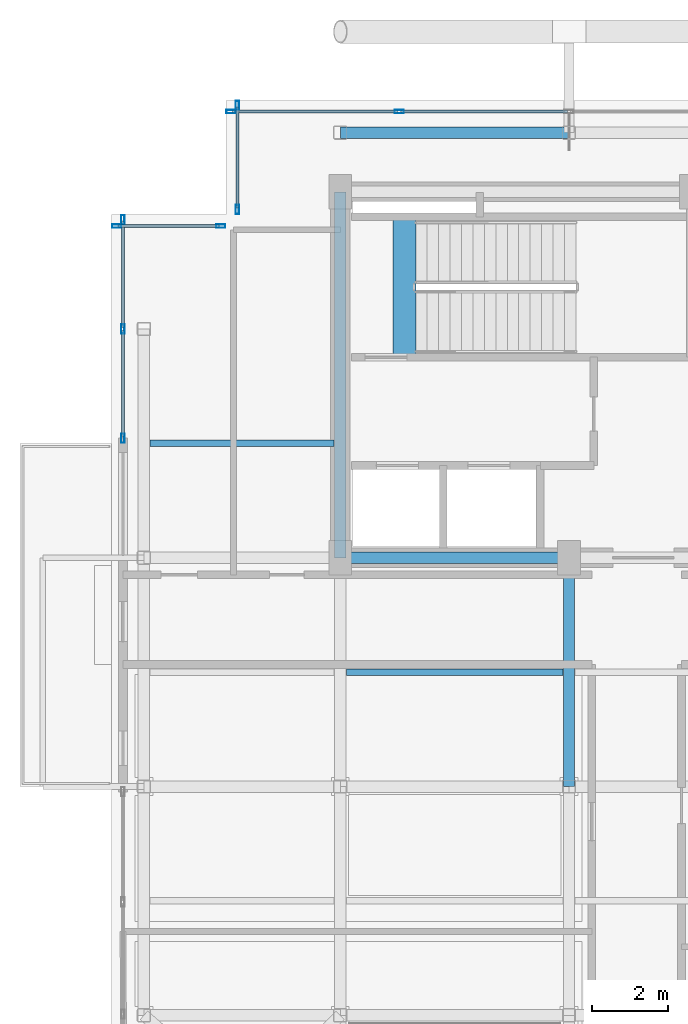
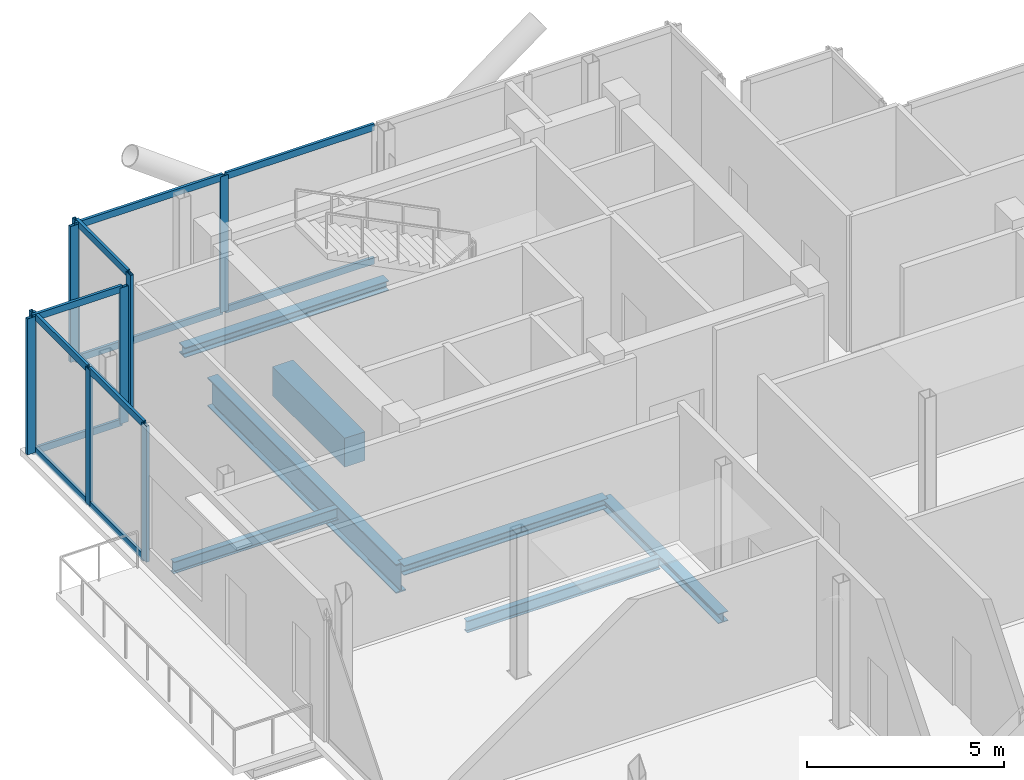
# One storey, part 5 of 16: 21 members, 7 beams, 4 elements without a shape of their own.
"""IFC4 building model written with IfcOpenShell, lengths in metres."""

from ifc_helpers import new_model, si_unit, direction, frame, origin, origin_2d, place, context, subcontext, project, spatial, rectangle, hollow_rectangle, i_section, extrude, material, layer, layer_set, material_profile, profile_set, type_object, element, aggregate, save


model = new_model("IFC4")

# Units and contexts
model_context = context("Model", 3, precision=1e-05, world=origin(), true_north=direction((0.0, 1.0)))
body_context = subcontext(model_context, "Body", "Model", "MODEL_VIEW")
ifc_project = project(units=[si_unit("LENGTHUNIT", "METRE"), si_unit("AREAUNIT", "SQUARE_METRE"), si_unit("VOLUMEUNIT", "CUBIC_METRE"), si_unit("PLANEANGLEUNIT", "RADIAN"), si_unit("MASSUNIT", "GRAM", prefix="KILO"), si_unit("THERMODYNAMICTEMPERATUREUNIT", "KELVIN"), si_unit("POWERUNIT", "WATT")], contexts=[model_context])

# Site, building, storey
site_placement = place(None, origin())
site = spatial("IfcSite", under=ifc_project, at=site_placement, CompositionType="ELEMENT")
building_placement = place(site_placement, origin())
building = spatial("IfcBuilding", under=site, at=building_placement, Name="Svarakhadi Broadcast Tower", CompositionType="ELEMENT")
storey_placement = place(building_placement, frame((0.0, 0.0, 296.39990234375)))
storey = spatial("IfcBuildingStorey", under=building, at=storey_placement, Name="L75", CompositionType="ELEMENT", Elevation=296.39990234375)

# Beams
ifc_material_1 = material(Name="Steel S355J2 (IS 2062 E350C)", Category="steel")
ifc_material_profile_1 = material_profile(ifc_material_1, i_section(OverallWidth=0.169921875, OverallDepth=0.360107421875, WebThickness=0.008056640625, FlangeThickness=0.0126953125, FilletRadius=0.01806640625, at=origin_2d()), Name="NPB 360x170x57")
ifc_profile_set_1 = profile_set([ifc_material_profile_1], Name="Steel S355J2 (IS 2062 E350C)")
beam_type_1 = type_object("IfcBeamType", Name="Beam_NPB360", PredefinedType="BEAM", material=ifc_profile_set_1)
beam_1_placement = place(storey_placement, frame((1.010009765625, 21.0, -0.3798828125), z_axis=(1.0, 0.0, 0.0), x_axis=(0.0, 1.0, 0.0)))
element("IfcBeam", 1, at=beam_1_placement, inside=storey, type_object=beam_type_1, Name="L75 Secondary Composite Beam SB003", PredefinedType="BEAM", context=body_context, shape_type="SweptSolid", body=[
    extrude(i_section(OverallWidth=0.169921875, OverallDepth=0.360107421875, WebThickness=0.008056640625, FlangeThickness=0.0126953125, FilletRadius=0.01806640625, at=origin_2d()), origin(), (0.0, 0.0, 1.0), 4.830078125),
])
beam_2_placement = place(storey_placement, frame((6.159912109375, 15.0, -0.3798828125), z_axis=(1.0, 0.0, 0.0), x_axis=(0.0, 1.0, 0.0)))
element("IfcBeam", 2, at=beam_2_placement, inside=storey, type_object=beam_type_1, Name="L75 Secondary Composite Beam SB006", PredefinedType="BEAM", context=body_context, shape_type="SweptSolid", body=[
    extrude(i_section(OverallWidth=0.169921875, OverallDepth=0.360107421875, WebThickness=0.008056640625, FlangeThickness=0.0126953125, FilletRadius=0.01806640625, at=origin_2d()), origin(), (0.0, 0.0, 1.0), 5.68017578125),
])

# Curtain wall, members
ifc_material_2 = material(Name="Anodised Bronze Aluminium AA 6063-T6", Category="aluminium")
ifc_layer = layer(ifc_material_2, 0.239990234375)
ifc_layer_set = layer_set([ifc_layer], Name="Anodised Bronze Aluminium AA 6063-T6")
curtain_wall_type = type_object("IfcCurtainWallType", Name="CW_Sys_06", PredefinedType="NOTDEFINED", material=ifc_layer_set)
curtain_wall_1_placement = place(storey_placement, origin())
curtain_wall_1 = element("IfcCurtainWall", 3, at=curtain_wall_1_placement, inside=storey, type_object=curtain_wall_type, Name="L75 West Curtain Wall 03", PredefinedType="NOTDEFINED")
ifc_material_profile_2 = material_profile(ifc_material_2, hollow_rectangle(XDim=0.090087890625, YDim=0.239990234375, WallThickness=0.006103515625, at=origin_2d()), Name="ALU MULLION 240x90x6")
ifc_profile_set_2 = profile_set([ifc_material_profile_2], Name="Anodised Bronze Aluminium AA 6063-T6")
member_type_1 = type_object("IfcMemberType", Name="CW_Sys_06_Mul", PredefinedType="MULLION", material=ifc_profile_set_2)
member_1_placement = place(storey_placement, frame((0.300048828125, 21.135009765625, 0.0), z_axis=(0.0, 0.0, 1.0), x_axis=(-1.0, 0.0, 0.0)))
member_1 = element("IfcMember", 4, at=member_1_placement, type_object=member_type_1, Name="CW-06 mullion 1", PredefinedType="MULLION", context=body_context, shape_type="SweptSolid", body=[
    extrude(hollow_rectangle(XDim=0.090087890625, YDim=0.239990234375, WallThickness=0.006103515625, at=origin_2d()), origin(), (0.0, 0.0, 1.0), 4.22509765625),
])
member_2_placement = place(storey_placement, frame((0.300048828125, 24.0, 0.0), z_axis=(0.0, 0.0, 1.0), x_axis=(-1.0, 0.0, 0.0)))
member_2 = element("IfcMember", 5, at=member_2_placement, type_object=member_type_1, Name="CW-06 mullion 2", PredefinedType="MULLION", context=body_context, shape_type="SweptSolid", body=[
    extrude(hollow_rectangle(XDim=0.090087890625, YDim=0.239990234375, WallThickness=0.006103515625, at=origin_2d()), origin(), (0.0, 0.0, 1.0), 4.22509765625),
])
member_3_placement = place(storey_placement, frame((0.300048828125, 26.864990234375, 0.0), z_axis=(0.0, 0.0, 1.0), x_axis=(-1.0, 0.0, 0.0)))
member_3 = element("IfcMember", 6, at=member_3_placement, type_object=member_type_1, Name="CW-06 mullion 3", PredefinedType="MULLION", context=body_context, shape_type="SweptSolid", body=[
    extrude(hollow_rectangle(XDim=0.090087890625, YDim=0.239990234375, WallThickness=0.006103515625, at=origin_2d()), origin(), (0.0, 0.0, 1.0), 4.22509765625),
])

curtain_wall_2_placement = place(storey_placement, origin())
curtain_wall_2 = element("IfcCurtainWall", 7, at=curtain_wall_2_placement, inside=storey, type_object=curtain_wall_type, Name="L75 Unitised Facade Curtain Wall 04", PredefinedType="NOTDEFINED")
member_4_placement = place(storey_placement, frame((0.135009765625, 26.699951171875, 0.0), z_axis=(0.0, 0.0, 1.0), x_axis=(0.0, 1.0, 0.0)))
member_4 = element("IfcMember", 8, at=member_4_placement, type_object=member_type_1, Name="CW-06 mullion 1", PredefinedType="MULLION", context=body_context, shape_type="SweptSolid", body=[
    extrude(hollow_rectangle(XDim=0.090087890625, YDim=0.239990234375, WallThickness=0.006103515625, at=origin_2d()), origin(), (0.0, 0.0, 1.0), 4.22509765625),
])
member_5_placement = place(storey_placement, frame((2.864990234375, 26.699951171875, 0.0), z_axis=(0.0, 0.0, 1.0), x_axis=(0.0, 1.0, 0.0)))
member_5 = element("IfcMember", 9, at=member_5_placement, type_object=member_type_1, Name="CW-06 mullion 2", PredefinedType="MULLION", context=body_context, shape_type="SweptSolid", body=[
    extrude(hollow_rectangle(XDim=0.090087890625, YDim=0.239990234375, WallThickness=0.006103515625, at=origin_2d()), origin(), (0.0, 0.0, 1.0), 4.22509765625),
])

curtain_wall_3_placement = place(storey_placement, origin())
curtain_wall_3 = element("IfcCurtainWall", 10, at=curtain_wall_3_placement, inside=storey, type_object=curtain_wall_type, Name="L75 Unitised Facade Curtain Wall 05", PredefinedType="NOTDEFINED")
member_6_placement = place(storey_placement, frame((3.300048828125, 27.135009765625, 0.0), z_axis=(0.0, 0.0, 1.0), x_axis=(-1.0, 0.0, 0.0)))
member_6 = element("IfcMember", 11, at=member_6_placement, type_object=member_type_1, Name="CW-06 mullion 1", PredefinedType="MULLION", context=body_context, shape_type="SweptSolid", body=[
    extrude(hollow_rectangle(XDim=0.090087890625, YDim=0.239990234375, WallThickness=0.006103515625, at=origin_2d()), origin(), (0.0, 0.0, 1.0), 4.22509765625),
])
member_7_placement = place(storey_placement, frame((3.300048828125, 29.864990234375, 0.0), z_axis=(0.0, 0.0, 1.0), x_axis=(-1.0, 0.0, 0.0)))
member_7 = element("IfcMember", 12, at=member_7_placement, type_object=member_type_1, Name="CW-06 mullion 2", PredefinedType="MULLION", context=body_context, shape_type="SweptSolid", body=[
    extrude(hollow_rectangle(XDim=0.090087890625, YDim=0.239990234375, WallThickness=0.006103515625, at=origin_2d()), origin(), (0.0, 0.0, 1.0), 4.22509765625),
])

curtain_wall_4_placement = place(storey_placement, origin())
curtain_wall_4 = element("IfcCurtainWall", 13, at=curtain_wall_4_placement, inside=storey, type_object=curtain_wall_type, Name="L75 Unitised Facade Curtain Wall 06", PredefinedType="NOTDEFINED")
member_8_placement = place(storey_placement, frame((3.135009765625, 29.699951171875, 0.0), z_axis=(0.0, 0.0, 1.0), x_axis=(0.0, 1.0, 0.0)))
member_8 = element("IfcMember", 14, at=member_8_placement, type_object=member_type_1, Name="CW-06 mullion 1", PredefinedType="MULLION", context=body_context, shape_type="SweptSolid", body=[
    extrude(hollow_rectangle(XDim=0.090087890625, YDim=0.239990234375, WallThickness=0.006103515625, at=origin_2d()), origin(), (0.0, 0.0, 1.0), 4.22509765625),
])
member_9_placement = place(storey_placement, frame((7.544921875, 29.699951171875, 0.0), z_axis=(0.0, 0.0, 1.0), x_axis=(0.0, 1.0, 0.0)))
member_9 = element("IfcMember", 15, at=member_9_placement, type_object=member_type_1, Name="CW-06 mullion 2", PredefinedType="MULLION", context=body_context, shape_type="SweptSolid", body=[
    extrude(hollow_rectangle(XDim=0.090087890625, YDim=0.239990234375, WallThickness=0.006103515625, at=origin_2d()), origin(), (0.0, 0.0, 1.0), 4.22509765625),
])

# Member
ifc_material_profile_3 = material_profile(ifc_material_2, hollow_rectangle(XDim=0.080078125, YDim=0.2099609375, WallThickness=0.0048828125, at=origin_2d()), Name="ALU TRANSOM 210x80x5")
ifc_profile_set_3 = profile_set([ifc_material_profile_3], Name="Anodised Bronze Aluminium AA 6063-T6")
member_type_2 = type_object("IfcMemberType", Name="CW_Sys_06_Trn", PredefinedType="USERDEFINED", material=ifc_profile_set_3)
member_10_placement = place(storey_placement, frame((0.300048828125, 21.179931640625, 0.0400390625), z_axis=(0.0, 1.0, 0.0), x_axis=(-1.0, 0.0, 0.0)))
member_10 = element("IfcMember", 16, at=member_10_placement, type_object=member_type_2, Name="CW-06 transom 1.1", ObjectType="TRANSOM", PredefinedType="USERDEFINED", context=body_context, shape_type="SweptSolid", body=[
    extrude(hollow_rectangle(XDim=0.080078125, YDim=0.2099609375, WallThickness=0.0048828125, at=origin_2d()), origin(), (0.0, 0.0, 1.0), 2.775146484375),
])

member_11_placement = place(storey_placement, frame((0.300048828125, 21.179931640625, 4.18505859375), z_axis=(0.0, 1.0, 0.0), x_axis=(-1.0, 0.0, 0.0)))
member_11 = element("IfcMember", 17, at=member_11_placement, type_object=member_type_2, Name="CW-06 transom 1.2", ObjectType="TRANSOM", PredefinedType="USERDEFINED", context=body_context, shape_type="SweptSolid", body=[
    extrude(hollow_rectangle(XDim=0.080078125, YDim=0.2099609375, WallThickness=0.0048828125, at=origin_2d()), origin(), (0.0, 0.0, 1.0), 2.775146484375),
])

member_12_placement = place(storey_placement, frame((0.300048828125, 24.044921875, 0.0400390625), z_axis=(0.0, 1.0, 0.0), x_axis=(-1.0, 0.0, 0.0)))
member_12 = element("IfcMember", 18, at=member_12_placement, type_object=member_type_2, Name="CW-06 transom 2.1", ObjectType="TRANSOM", PredefinedType="USERDEFINED", context=body_context, shape_type="SweptSolid", body=[
    extrude(hollow_rectangle(XDim=0.080078125, YDim=0.2099609375, WallThickness=0.0048828125, at=origin_2d()), origin(), (0.0, 0.0, 1.0), 2.775146484375),
])

member_13_placement = place(storey_placement, frame((0.300048828125, 24.044921875, 4.18505859375), z_axis=(0.0, 1.0, 0.0), x_axis=(-1.0, 0.0, 0.0)))
member_13 = element("IfcMember", 19, at=member_13_placement, type_object=member_type_2, Name="CW-06 transom 2.2", ObjectType="TRANSOM", PredefinedType="USERDEFINED", context=body_context, shape_type="SweptSolid", body=[
    extrude(hollow_rectangle(XDim=0.080078125, YDim=0.2099609375, WallThickness=0.0048828125, at=origin_2d()), origin(), (0.0, 0.0, 1.0), 2.775146484375),
])

aggregate(curtain_wall_1, [member_1, member_2, member_3, member_10, member_11, member_12, member_13])

member_14_placement = place(storey_placement, frame((0.179931640625, 26.699951171875, 0.0400390625), z_axis=(1.0, 0.0, 0.0), x_axis=(0.0, 1.0, 0.0)))
member_14 = element("IfcMember", 20, at=member_14_placement, type_object=member_type_2, Name="CW-06 transom 1.1", ObjectType="TRANSOM", PredefinedType="USERDEFINED", context=body_context, shape_type="SweptSolid", body=[
    extrude(hollow_rectangle(XDim=0.080078125, YDim=0.2099609375, WallThickness=0.0048828125, at=origin_2d()), origin(), (0.0, 0.0, 1.0), 2.64013671875),
])

member_15_placement = place(storey_placement, frame((0.179931640625, 26.699951171875, 4.18505859375), z_axis=(1.0, 0.0, 0.0), x_axis=(0.0, 1.0, 0.0)))
member_15 = element("IfcMember", 21, at=member_15_placement, type_object=member_type_2, Name="CW-06 transom 1.2", ObjectType="TRANSOM", PredefinedType="USERDEFINED", context=body_context, shape_type="SweptSolid", body=[
    extrude(hollow_rectangle(XDim=0.080078125, YDim=0.2099609375, WallThickness=0.0048828125, at=origin_2d()), origin(), (0.0, 0.0, 1.0), 2.64013671875),
])

aggregate(curtain_wall_2, [member_4, member_5, member_14, member_15])

member_16_placement = place(storey_placement, frame((3.300048828125, 27.179931640625, 0.0400390625), z_axis=(0.0, 1.0, 0.0), x_axis=(-1.0, 0.0, 0.0)))
member_16 = element("IfcMember", 22, at=member_16_placement, type_object=member_type_2, Name="CW-06 transom 1.1", ObjectType="TRANSOM", PredefinedType="USERDEFINED", context=body_context, shape_type="SweptSolid", body=[
    extrude(hollow_rectangle(XDim=0.080078125, YDim=0.2099609375, WallThickness=0.0048828125, at=origin_2d()), origin(), (0.0, 0.0, 1.0), 2.64013671875),
])

member_17_placement = place(storey_placement, frame((3.300048828125, 27.179931640625, 4.18505859375), z_axis=(0.0, 1.0, 0.0), x_axis=(-1.0, 0.0, 0.0)))
member_17 = element("IfcMember", 23, at=member_17_placement, type_object=member_type_2, Name="CW-06 transom 1.2", ObjectType="TRANSOM", PredefinedType="USERDEFINED", context=body_context, shape_type="SweptSolid", body=[
    extrude(hollow_rectangle(XDim=0.080078125, YDim=0.2099609375, WallThickness=0.0048828125, at=origin_2d()), origin(), (0.0, 0.0, 1.0), 2.64013671875),
])

aggregate(curtain_wall_3, [member_6, member_7, member_16, member_17])

member_18_placement = place(storey_placement, frame((3.179931640625, 29.699951171875, 0.0400390625), z_axis=(1.0, 0.0, 0.0), x_axis=(0.0, 1.0, 0.0)))
member_18 = element("IfcMember", 24, at=member_18_placement, type_object=member_type_2, Name="CW-06 transom 1.1", ObjectType="TRANSOM", PredefinedType="USERDEFINED", context=body_context, shape_type="SweptSolid", body=[
    extrude(hollow_rectangle(XDim=0.080078125, YDim=0.2099609375, WallThickness=0.0048828125, at=origin_2d()), origin(), (0.0, 0.0, 1.0), 4.320068359375),
])

member_19_placement = place(storey_placement, frame((3.179931640625, 29.699951171875, 4.18505859375), z_axis=(1.0, 0.0, 0.0), x_axis=(0.0, 1.0, 0.0)))
member_19 = element("IfcMember", 25, at=member_19_placement, type_object=member_type_2, Name="CW-06 transom 1.2", ObjectType="TRANSOM", PredefinedType="USERDEFINED", context=body_context, shape_type="SweptSolid", body=[
    extrude(hollow_rectangle(XDim=0.080078125, YDim=0.2099609375, WallThickness=0.0048828125, at=origin_2d()), origin(), (0.0, 0.0, 1.0), 4.320068359375),
])

member_20_placement = place(storey_placement, frame((7.590087890625, 29.699951171875, 0.0400390625), z_axis=(1.0, 0.0, 0.0), x_axis=(0.0, 1.0, 0.0)))
member_20 = element("IfcMember", 26, at=member_20_placement, type_object=member_type_2, Name="CW-06 transom 2.1", ObjectType="TRANSOM", PredefinedType="USERDEFINED", context=body_context, shape_type="SweptSolid", body=[
    extrude(hollow_rectangle(XDim=0.080078125, YDim=0.2099609375, WallThickness=0.0048828125, at=origin_2d()), origin(), (0.0, 0.0, 1.0), 4.364990234375),
])

member_21_placement = place(storey_placement, frame((7.590087890625, 29.699951171875, 4.18505859375), z_axis=(1.0, 0.0, 0.0), x_axis=(0.0, 1.0, 0.0)))
member_21 = element("IfcMember", 27, at=member_21_placement, type_object=member_type_2, Name="CW-06 transom 2.2", ObjectType="TRANSOM", PredefinedType="USERDEFINED", context=body_context, shape_type="SweptSolid", body=[
    extrude(hollow_rectangle(XDim=0.080078125, YDim=0.2099609375, WallThickness=0.0048828125, at=origin_2d()), origin(), (0.0, 0.0, 1.0), 4.364990234375),
])

aggregate(curtain_wall_4, [member_8, member_9, member_18, member_19, member_20, member_21])

# Beams
ifc_material_3 = material(Name="Concrete C50/60 (IS 456 M60)", Category="concrete")
ifc_material_profile_4 = material_profile(ifc_material_3, rectangle(XDim=0.60009765625, YDim=0.89990234375, at=origin_2d()), Name="RC 600x900")
ifc_profile_set_4 = profile_set([ifc_material_profile_4], Name="Concrete C50/60 (IS 456 M60)")
beam_type_2 = type_object("IfcBeamType", Name="Coupling_RC600", PredefinedType="USERDEFINED", material=ifc_profile_set_4)
beam_3_placement = place(storey_placement, frame((7.679931640625, 23.260009765625, -0.449951171875), z_axis=(0.0, 1.0, 0.0), x_axis=(-1.0, 0.0, 0.0)))
element("IfcBeam", 28, at=beam_3_placement, inside=storey, type_object=beam_type_2, Name="L75 Stair ST-01 Landing Throat Trimmer Beam CB-01", ObjectType="GIRDER", PredefinedType="USERDEFINED", context=body_context, shape_type="SweptSolid", body=[
    extrude(rectangle(XDim=0.60009765625, YDim=0.89990234375, at=origin_2d()), origin(), (0.0, 0.0, 1.0), 3.679931640625),
])
ifc_material_profile_5 = material_profile(ifc_material_1, i_section(OverallWidth=0.300048828125, OverallDepth=0.300048828125, WebThickness=0.010986328125, FlangeThickness=0.01904296875, FilletRadius=0.027099609375, at=origin_2d()), Name="WPB 300x300x117")
ifc_profile_set_5 = profile_set([ifc_material_profile_5], Name="Steel S355J2 (IS 2062 E350C)")
beam_type_3 = type_object("IfcBeamType", Name="Girder_WPB300", PredefinedType="USERDEFINED", material=ifc_profile_set_5)
for number, where, z_axis, x_axis, name in (
    (29, (6.0, 18.0, -0.349853515625), (1.0, 0.0, 0.0), (0.0, 1.0, 0.0), "L75 Primary E-W Girder G018"),
    (30, (6.0, 29.14990234375, -0.349853515625), (1.0, 0.0, 0.0), (0.0, 1.0, 0.0), "L75 Primary E-W Girder G024"),
    (31, (12.0, 12.0, -0.349853515625), (0.0, 1.0, 0.0), (-1.0, 0.0, 0.0), "L75 Primary N-S Girder G035"),
):
    element("IfcBeam", number, at=place(storey_placement, frame(where, z_axis=z_axis, x_axis=x_axis)), inside=storey, type_object=beam_type_3, Name=name, ObjectType="GIRDER", PredefinedType="USERDEFINED", context=body_context, shape_type="SweptSolid", body=[
        extrude(i_section(OverallWidth=0.300048828125, OverallDepth=0.300048828125, WebThickness=0.010986328125, FlangeThickness=0.01904296875, FilletRadius=0.027099609375, at=origin_2d()), origin(), (0.0, 0.0, 1.0), 6.0),
    ])
ifc_material_4 = material(Name="Steel S460ML (IS 2062 E450BR)", Category="steel")
ifc_material_profile_6 = material_profile(ifc_material_4, i_section(OverallWidth=0.300048828125, OverallDepth=0.89990234375, WebThickness=0.0185546875, FlangeThickness=0.034912109375, FilletRadius=0.030029296875, at=origin_2d()), Name="WPB 900x300x291")
ifc_profile_set_6 = profile_set([ifc_material_profile_6], Name="Steel S460ML (IS 2062 E450BR)")
beam_type_4 = type_object("IfcBeamType", Name="Girder_WPB900", PredefinedType="USERDEFINED", material=ifc_profile_set_6)
beam_4_placement = place(storey_placement, frame((6.0, 18.0, -0.64990234375), z_axis=(0.0, 1.0, 0.0), x_axis=(-1.0, 0.0, 0.0)))
element("IfcBeam", 32, at=beam_4_placement, inside=storey, type_object=beam_type_4, Name="L75 Primary N-S Girder G032", ObjectType="GIRDER", PredefinedType="USERDEFINED", context=body_context, shape_type="SweptSolid", body=[
    extrude(i_section(OverallWidth=0.300048828125, OverallDepth=0.89990234375, WebThickness=0.0185546875, FlangeThickness=0.034912109375, FilletRadius=0.030029296875, at=origin_2d()), origin(), (0.0, 0.0, 1.0), 9.60009765625),
])

save(model, "model.ifc")
